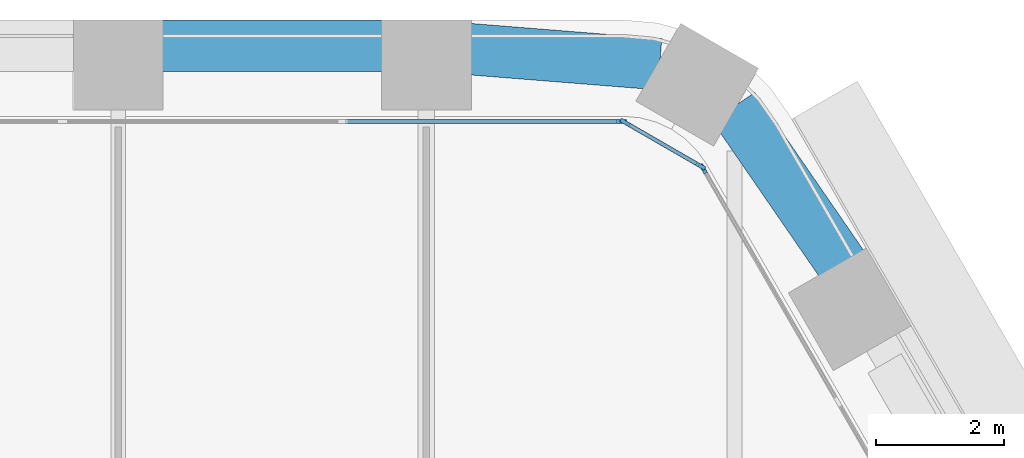
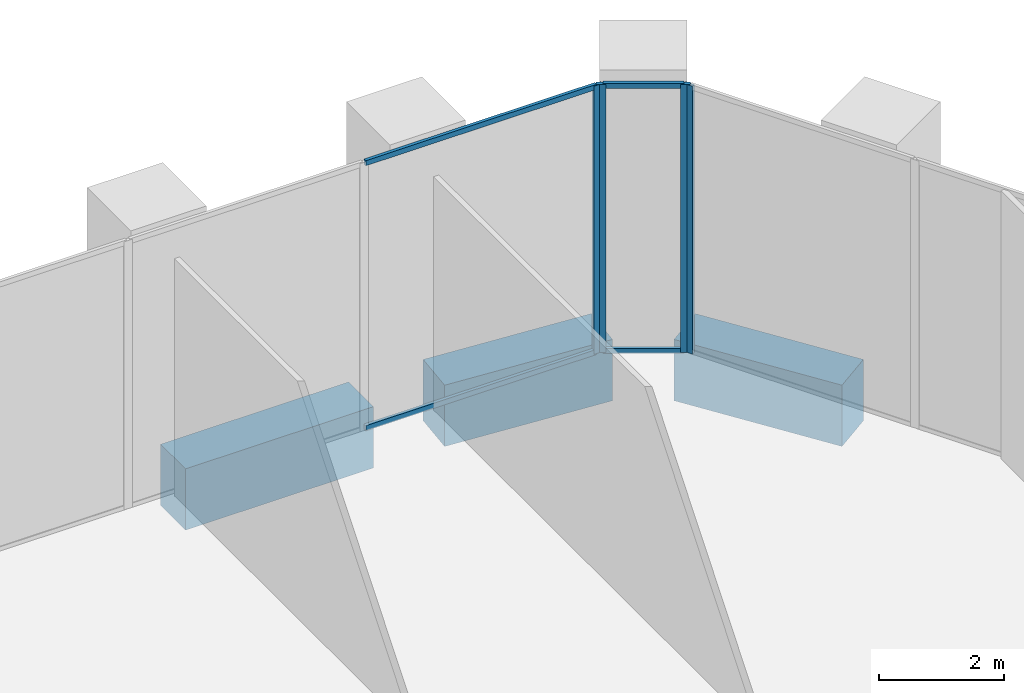
# One storey, part 14 of 27: 8 members, 3 beams, 3 elements without a shape of their own.
"""IFC4 building model written with IfcOpenShell, lengths in metres."""

from ifc_helpers import new_model, si_unit, direction, frame, origin, origin_2d, place, context, subcontext, project, spatial, rectangle, extrude, material, material_profile, profile_set, type_object, element, aggregate, save


model = new_model("IFC4")

# Units and contexts
model_context = context("Model", 3, precision=1e-05, world=origin(), true_north=direction((0.0, 1.0)))
body_context = subcontext(model_context, "Body", "Model", "MODEL_VIEW")
ifc_project = project(units=[si_unit("LENGTHUNIT", "METRE"), si_unit("AREAUNIT", "SQUARE_METRE"), si_unit("VOLUMEUNIT", "CUBIC_METRE"), si_unit("PLANEANGLEUNIT", "RADIAN"), si_unit("MASSUNIT", "GRAM", prefix="KILO")], contexts=[model_context])

# Site, building, storey
site_placement = place(None, origin())
site = spatial("IfcSite", under=ifc_project, at=site_placement, CompositionType="ELEMENT")
building_placement = place(site_placement, origin())
building = spatial("IfcBuilding", under=site, at=building_placement, Name="Kolab Exchange Tower", CompositionType="ELEMENT")
storey_placement = place(building_placement, frame((0.0, 0.0, 27.89990234375)))
storey = spatial("IfcBuildingStorey", under=building, at=storey_placement, Name="L05", CompositionType="ELEMENT", Elevation=27.89990234375)

# Beams
ifc_material_1 = material(Name="Concrete C80/95", Category="concrete")
ifc_material_profile_1 = material_profile(ifc_material_1, rectangle(XDim=0.800048828125, YDim=1.199951171875, at=origin_2d()), Name="RC800X1200")
ifc_profile_set_1 = profile_set([ifc_material_profile_1], Name="Concrete C80/95")
beam_type = type_object("IfcBeamType", Name="SPANDREL BEAM 800X1200 C80/95", PredefinedType="BEAM", material=ifc_profile_set_1)
beam_1_placement = place(storey_placement, frame((10.260009765625, 32.85546875, -0.849853515625), z_axis=(1.0, 0.0, 0.0), x_axis=(0.0, 1.0, 0.0)))
element("IfcBeam", 1, at=beam_1_placement, inside=storey, type_object=beam_type, Name="beam/L05/sp/F1-07", PredefinedType="BEAM", context=body_context, shape_type="SweptSolid", body=[
    extrude(rectangle(XDim=0.800048828125, YDim=1.199951171875, at=origin_2d()), origin(), (0.0, 0.0, 1.0), 3.47998046875),
])
beam_2_placement = place(storey_placement, frame((15.06005859375, 32.802734375, -0.849853515625), z_axis=(0.996833978278, -0.07951112973, 0.0), x_axis=(0.07951112973, 0.996833978278, 0.0)))
element("IfcBeam", 2, at=beam_2_placement, inside=storey, type_object=beam_type, Name="beam/L05/sp/F1-08", PredefinedType="BEAM", context=body_context, shape_type="SweptSolid", body=[
    extrude(rectangle(XDim=0.800048828125, YDim=1.199951171875, at=origin_2d()), origin(), (0.0, 0.0, 1.0), 2.984619140625),
])
beam_3_placement = place(storey_placement, frame((19.18505859375, 31.901611328125, -0.849853515625), z_axis=(0.567247290755, -0.823547516013, 0.0), x_axis=(0.823547516013, 0.567247290755, 0.0)))
element("IfcBeam", 3, at=beam_3_placement, inside=storey, type_object=beam_type, Name="beam/L05/sp/F2-01", PredefinedType="BEAM", context=body_context, shape_type="SweptSolid", body=[
    extrude(rectangle(XDim=0.800048828125, YDim=1.199951171875, at=origin_2d()), origin(), (0.0, 0.0, 1.0), 2.984375),
])

# Curtain wall, member
ifc_material_2 = material(Name="Aluminium EN AW-6063 T6", Category="aluminium")
curtain_wall_type = type_object("IfcCurtainWallType", Name="UNITISED LOW ZONE CURTAIN WALL", PredefinedType="NOTDEFINED", material=ifc_material_2)
curtain_wall_1_placement = place(storey_placement, origin())
curtain_wall_1 = element("IfcCurtainWall", 4, at=curtain_wall_1_placement, inside=storey, type_object=curtain_wall_type, Name="cw/L05/F1-2", PredefinedType="NOTDEFINED")
ifc_material_profile_2 = material_profile(ifc_material_2, rectangle(XDim=0.06005859375, YDim=0.159912109375, at=origin_2d()), Name="RECT 60X160")
ifc_profile_set_2 = profile_set([ifc_material_profile_2], Name="Aluminium EN AW-6063 T6")
member_type_1 = type_object("IfcMemberType", Name="UNITISED LOW ZONE MULLION 60 X 160", PredefinedType="MULLION", material=ifc_profile_set_2)
member_1_placement = place(storey_placement, frame((17.43798828125, 31.67529296875, 0.0), z_axis=(0.0, 0.0, 1.0), x_axis=(0.0, 1.0, 0.0)))
member_1 = element("IfcMember", 5, at=member_1_placement, type_object=member_type_1, Name="CW1 mullion 5", PredefinedType="MULLION", context=body_context, shape_type="SweptSolid", body=[
    extrude(rectangle(XDim=0.06005859375, YDim=0.159912109375, at=origin_2d()), origin(), (0.0, 0.0, 1.0), 5.25),
])

curtain_wall_2_placement = place(storey_placement, origin())
curtain_wall_2 = element("IfcCurtainWall", 6, at=curtain_wall_2_placement, inside=storey, type_object=curtain_wall_type, Name="cw/L05/F2-1", PredefinedType="NOTDEFINED")
member_2_placement = place(storey_placement, frame((18.712646484375, 30.939453125, 0.0), z_axis=(0.0, 0.0, 1.0), x_axis=(0.866025393644, 0.500000017564, 0.0)))
member_2 = element("IfcMember", 7, at=member_2_placement, type_object=member_type_1, Name="CW1 mullion 1", PredefinedType="MULLION", context=body_context, shape_type="SweptSolid", body=[
    extrude(rectangle(XDim=0.06005859375, YDim=0.159912109375, at=origin_2d()), origin(), (0.0, 0.0, 1.0), 5.25),
])
aggregate(curtain_wall_2, [member_2])

# Curtain wall, members
curtain_wall_3_placement = place(storey_placement, origin())
curtain_wall_3 = element("IfcCurtainWall", 8, at=curtain_wall_3_placement, inside=storey, type_object=curtain_wall_type, Name="cw/L05/F1F2-corner", PredefinedType="NOTDEFINED")
member_3_placement = place(storey_placement, frame((17.493896484375, 31.660400390625, 0.0), z_axis=(0.0, 0.0, 1.0), x_axis=(0.50000002237, 0.866025390869, 0.0)))
member_3 = element("IfcMember", 9, at=member_3_placement, type_object=member_type_1, Name="CW1 mullion 1", PredefinedType="MULLION", context=body_context, shape_type="SweptSolid", body=[
    extrude(rectangle(XDim=0.06005859375, YDim=0.159912109375, at=origin_2d()), origin(), (0.0, 0.0, 1.0), 5.25),
])
member_4_placement = place(storey_placement, frame((18.671630859375, 30.98046875, 0.0), z_axis=(0.0, 0.0, 1.0), x_axis=(0.50000002237, 0.866025390869, 0.0)))
member_4 = element("IfcMember", 10, at=member_4_placement, type_object=member_type_1, Name="CW1 mullion 2", PredefinedType="MULLION", context=body_context, shape_type="SweptSolid", body=[
    extrude(rectangle(XDim=0.06005859375, YDim=0.159912109375, at=origin_2d()), origin(), (0.0, 0.0, 1.0), 5.25),
])

# Member
ifc_material_profile_3 = material_profile(ifc_material_2, rectangle(XDim=0.06005859375, YDim=0.10009765625, at=origin_2d()), Name="RECT 60X100")
ifc_profile_set_3 = profile_set([ifc_material_profile_3], Name="Aluminium EN AW-6063 T6")
member_type_2 = type_object("IfcMemberType", Name="UNITISED LOW ZONE TRANSOM 60 X 100", PredefinedType="USERDEFINED", material=ifc_profile_set_3)
member_5_placement = place(storey_placement, frame((13.130859375, 31.67529296875, 0.030029296875), z_axis=(1.0, 0.0, 0.0), x_axis=(0.0, 1.0, 0.0)))
member_5 = element("IfcMember", 11, at=member_5_placement, type_object=member_type_2, Name="CW1 transom 4.1", ObjectType="TRANSOM", PredefinedType="USERDEFINED", context=body_context, shape_type="SweptSolid", body=[
    extrude(rectangle(XDim=0.06005859375, YDim=0.10009765625, at=origin_2d()), origin(), (0.0, 0.0, 1.0), 4.277099609375),
])

member_6_placement = place(storey_placement, frame((13.130859375, 31.67529296875, 5.22021484375), z_axis=(1.0, 0.0, 0.0), x_axis=(0.0, 1.0, 0.0)))
member_6 = element("IfcMember", 12, at=member_6_placement, type_object=member_type_2, Name="CW1 transom 4.2", ObjectType="TRANSOM", PredefinedType="USERDEFINED", context=body_context, shape_type="SweptSolid", body=[
    extrude(rectangle(XDim=0.06005859375, YDim=0.10009765625, at=origin_2d()), origin(), (0.0, 0.0, 1.0), 4.277099609375),
])

aggregate(curtain_wall_1, [member_1, member_5, member_6])

member_7_placement = place(storey_placement, frame((17.52001953125, 31.645263671875, 0.030029296875), z_axis=(0.86603858612, -0.49997716683, 0.0), x_axis=(0.49997716683, 0.86603858612, 0.0)))
member_7 = element("IfcMember", 13, at=member_7_placement, type_object=member_type_2, Name="CW1 transom 1.1", ObjectType="TRANSOM", PredefinedType="USERDEFINED", context=body_context, shape_type="SweptSolid", body=[
    extrude(rectangle(XDim=0.06005859375, YDim=0.10009765625, at=origin_2d()), origin(), (0.0, 0.0, 1.0), 1.2998046875),
])

member_8_placement = place(storey_placement, frame((17.52001953125, 31.645263671875, 5.22021484375), z_axis=(0.86603858612, -0.49997716683, 0.0), x_axis=(0.49997716683, 0.86603858612, 0.0)))
member_8 = element("IfcMember", 14, at=member_8_placement, type_object=member_type_2, Name="CW1 transom 1.2", ObjectType="TRANSOM", PredefinedType="USERDEFINED", context=body_context, shape_type="SweptSolid", body=[
    extrude(rectangle(XDim=0.06005859375, YDim=0.10009765625, at=origin_2d()), origin(), (0.0, 0.0, 1.0), 1.2998046875),
])

aggregate(curtain_wall_3, [member_3, member_4, member_7, member_8])

save(model, "model.ifc")
